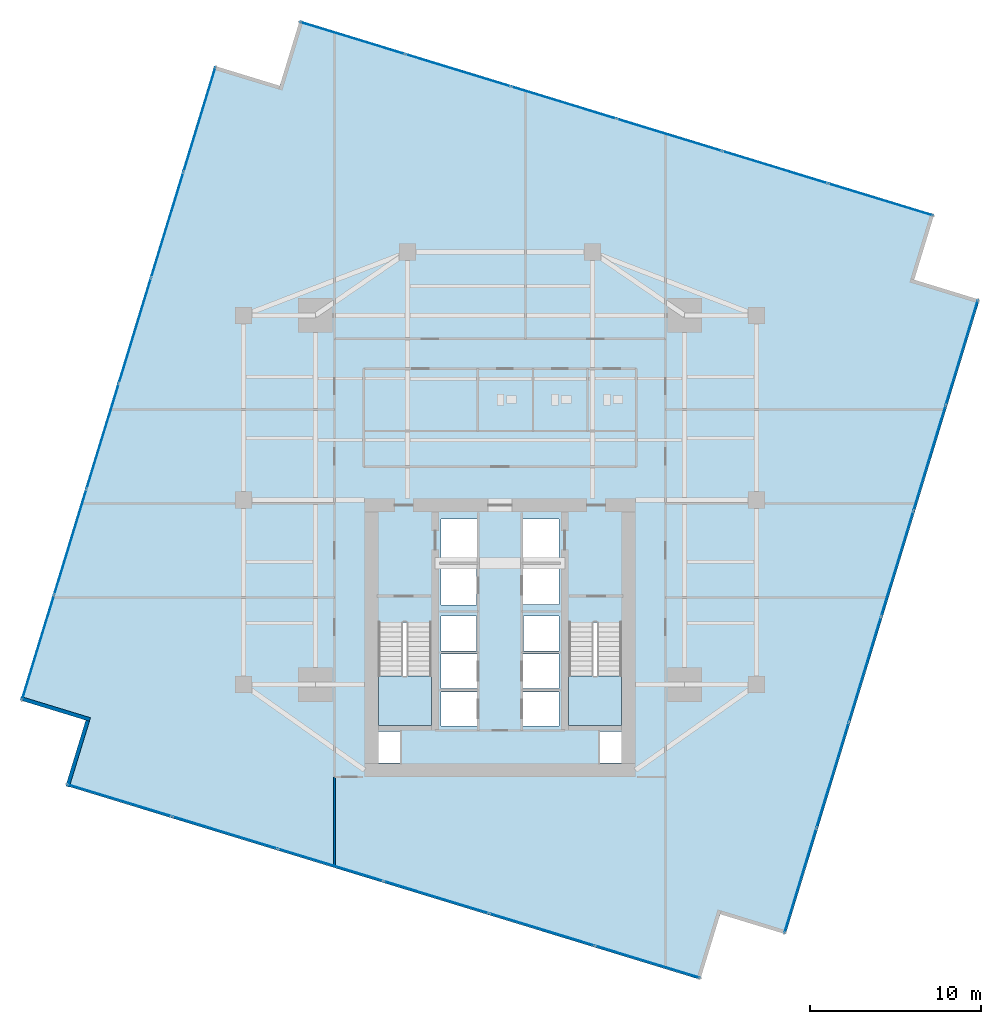
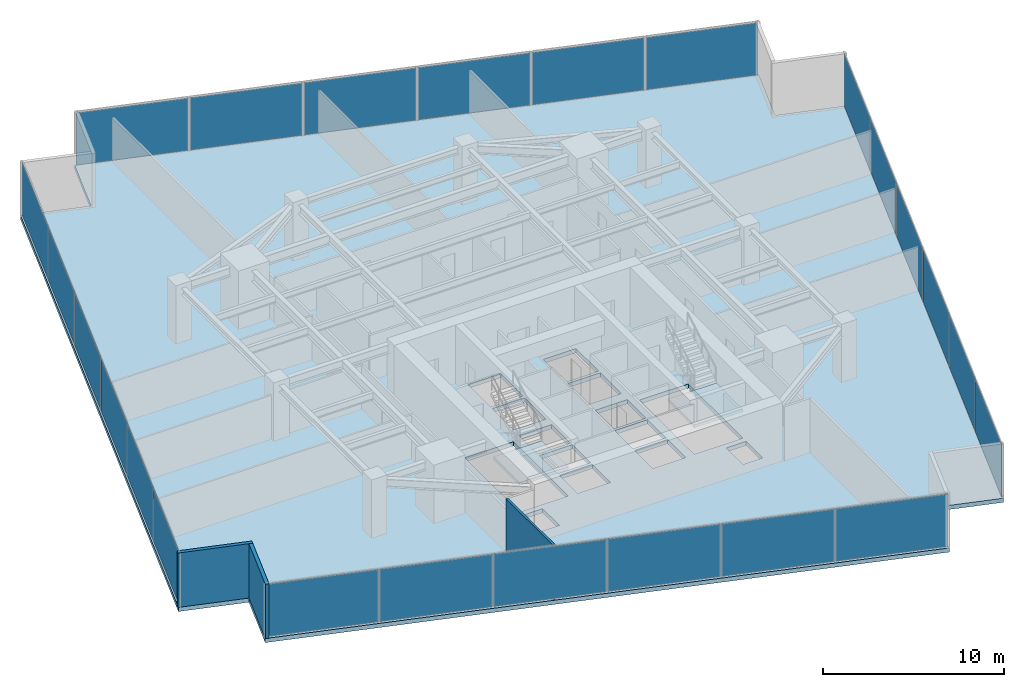
# One storey, part 21 of 26: 24 plates, 3 slabs, 3 walls, 6 elements without a shape of their own.
"""IFC4 building model written with IfcOpenShell, lengths in metres."""

from ifc_helpers import new_model, si_unit, direction, frame, frame_2d, origin, origin_2d, place, context, subcontext, project, spatial, polyline, rectangle, outline, extrude, source, transform, mapped, material, layer, layer_set, type_object, type_shapes, element, aggregate, save


model = new_model("IFC4")

# Units and contexts
model_context = context("Model", 3, precision=1e-05, world=origin(), true_north=direction((0.0, 1.0)))
body_context = subcontext(model_context, "Body", "Model", "MODEL_VIEW")
ifc_project = project(units=[si_unit("LENGTHUNIT", "METRE"), si_unit("AREAUNIT", "SQUARE_METRE"), si_unit("VOLUMEUNIT", "CUBIC_METRE"), si_unit("PLANEANGLEUNIT", "RADIAN"), si_unit("MASSUNIT", "GRAM", prefix="KILO")], contexts=[model_context])

# Site, building, storey
site_placement = place(None, origin())
site = spatial("IfcSite", under=ifc_project, at=site_placement, CompositionType="ELEMENT")
building_placement = place(site_placement, origin())
building = spatial("IfcBuilding", under=site, at=building_placement, Name="Krantzveldt Concourse Tower", CompositionType="ELEMENT")
storey_placement = place(building_placement, frame((0.0, 0.0, 113.75)))
storey = spatial("IfcBuildingStorey", under=building, at=storey_placement, Name="L27", CompositionType="ELEMENT", Elevation=113.75)

# Stair, slab
ifc_material_1 = material(Name="Precast concrete C40/50", Category="concrete")
stair_type = type_object("IfcStairType", Name="STR-CORE-DOGLEG", PredefinedType="HALF_TURN_STAIR", material=ifc_material_1)
stair_1_placement = place(storey_placement, origin())
stair_1 = element("IfcStair", 1, at=stair_1_placement, inside=storey, type_object=stair_type, Name="L27 Protected Escape Stair ST-1", PredefinedType="HALF_TURN_STAIR")
ifc_layer_1 = layer(ifc_material_1, 0.199951171875, Name="Precast concrete C40/50", Category="concrete")
ifc_layer_set_1 = layer_set([ifc_layer_1], Name="Precast concrete C40/50 (SL-LANDING-200)")
slab_type_1 = type_object("IfcSlabType", Name="SL-LANDING-200", PredefinedType="LANDING", material=ifc_layer_set_1)
slab_1_placement = place(storey_placement, frame((0.0, 0.0, 1.77490234375)))
slab_1 = element("IfcSlab", 2, at=slab_1_placement, type_object=slab_type_1, Name="ST-1 landing 1", PredefinedType="LANDING", context=body_context, shape_type="SweptSolid", body=[
    extrude(outline(polyline([(28.8798828125, 16.4150390625), (28.8798828125, 13.52001953125), (31.97998046875, 13.52001953125), (31.97998046875, 16.4150390625), (28.8798828125, 16.4150390625)])), origin(), (0.0, 0.0, 1.0), 0.2001953125),
])
aggregate(stair_1, [slab_1])

stair_2_placement = place(storey_placement, origin())
stair_2 = element("IfcStair", 3, at=stair_2_placement, inside=storey, type_object=stair_type, Name="L27 Protected Escape Stair ST-2", PredefinedType="HALF_TURN_STAIR")
slab_2_placement = place(storey_placement, frame((0.0, 0.0, 1.77490234375)))
slab_2 = element("IfcSlab", 4, at=slab_2_placement, type_object=slab_type_1, Name="ST-2 landing 1", PredefinedType="LANDING", context=body_context, shape_type="SweptSolid", body=[
    extrude(outline(polyline([(40.02001953125, 16.4150390625), (40.02001953125, 13.52001953125), (43.1201171875, 13.52001953125), (43.1201171875, 16.4150390625), (40.02001953125, 16.4150390625)])), origin(), (0.0, 0.0, 1.0), 0.2001953125),
])
aggregate(stair_2, [slab_2])

# Slab
ifc_material_2 = material(Name="Concrete C40/50", Category="concrete")
ifc_layer_2 = layer(ifc_material_2, 0.280029296875, Name="Concrete C40/50", Category="concrete")
ifc_layer_set_2 = layer_set([ifc_layer_2], Name="Concrete C40/50 (SL-SL-TWR280)")
slab_type_2 = type_object("IfcSlabType", Name="SL-SL-TWR280", PredefinedType="FLOOR", material=ifc_layer_set_2)
slab_3_placement = place(storey_placement, frame((0.0, 0.0, -0.280029296875)))
element("IfcSlab", 5, at=slab_3_placement, inside=storey, type_object=slab_type_2, Name="SL-L27-MAIN", PredefinedType="FLOOR", context=body_context, shape_type="SweptSolid", body=[
    extrude(outline(polyline([(23.11962890625, 50.92431640625), (19.29443359375, 52.09375), (7.950439453125, 14.9892578125), (11.775634765625, 13.819580078125), (10.606201171875, 9.994384765625), (47.710693359375, -1.349609375), (48.88037109375, 2.4755859375), (52.70556640625, 1.30615234375), (64.049560546875, 38.410888671875), (60.224365234375, 39.580322265625), (61.393798828125, 43.405517578125), (24.289306640625, 54.74951171875), (23.11962890625, 50.92431640625)]), holes=[polyline([(28.8798828125, 19.547607421875), (28.8798828125, 13.52001953125), (31.97998046875, 13.52001953125), (31.97998046875, 19.547607421875), (28.8798828125, 19.547607421875)]), polyline([(40.02001953125, 19.547607421875), (40.02001953125, 13.52001953125), (43.1201171875, 13.52001953125), (43.1201171875, 19.547607421875), (40.02001953125, 19.547607421875)]), polyline([(32.550048828125, 23.10009765625), (34.64990234375, 23.10009765625), (34.64990234375, 25.60009765625), (32.550048828125, 25.60009765625), (32.550048828125, 23.10009765625)]), polyline([(37.35009765625, 23.10009765625), (39.449951171875, 23.10009765625), (39.449951171875, 25.60009765625), (37.35009765625, 25.60009765625), (37.35009765625, 23.10009765625)]), polyline([(37.35009765625, 20.60009765625), (39.449951171875, 20.60009765625), (39.449951171875, 22.89990234375), (37.35009765625, 22.89990234375), (37.35009765625, 20.60009765625)]), polyline([(32.550048828125, 13.47998046875), (34.64990234375, 13.47998046875), (34.64990234375, 15.47998046875), (32.550048828125, 15.47998046875), (32.550048828125, 13.47998046875)]), polyline([(32.550048828125, 15.679931640625), (34.64990234375, 15.679931640625), (34.64990234375, 17.679931640625), (32.550048828125, 17.679931640625), (32.550048828125, 15.679931640625)]), polyline([(37.35009765625, 13.47998046875), (39.449951171875, 13.47998046875), (39.449951171875, 15.47998046875), (37.35009765625, 15.47998046875), (37.35009765625, 13.47998046875)]), polyline([(37.35009765625, 15.679931640625), (39.449951171875, 15.679931640625), (39.449951171875, 17.679931640625), (37.35009765625, 17.679931640625), (37.35009765625, 15.679931640625)]), polyline([(32.550048828125, 20.550048828125), (34.6201171875, 20.550048828125), (34.6201171875, 22.89990234375), (32.550048828125, 22.89990234375), (32.550048828125, 20.550048828125)]), polyline([(32.550048828125, 17.8798828125), (34.6201171875, 17.8798828125), (34.6201171875, 19.919921875), (32.550048828125, 19.919921875), (32.550048828125, 17.8798828125)]), polyline([(37.3798828125, 17.8798828125), (39.449951171875, 17.8798828125), (39.449951171875, 19.919921875), (37.3798828125, 19.919921875), (37.3798828125, 17.8798828125)]), polyline([(28.8798828125, 11.320068359375), (30.139892578125, 11.320068359375), (30.139892578125, 13.159912109375), (28.8798828125, 13.159912109375), (28.8798828125, 11.320068359375)]), polyline([(41.860107421875, 11.320068359375), (43.1201171875, 11.320068359375), (43.1201171875, 13.159912109375), (41.860107421875, 13.159912109375), (41.860107421875, 11.320068359375)])]), origin(), (0.0, 0.0, 1.0), 0.280029296875),
])

# Curtain wall, plates
ifc_material_3 = material(Name="Anodised aluminium 6063-T6", Category="aluminium")
curtain_wall_type = type_object("IfcCurtainWallType", Name="CW2", PredefinedType="USERDEFINED", material=ifc_material_3)
curtain_wall_1_placement = place(storey_placement, origin())
curtain_wall_1 = element("IfcCurtainWall", 6, at=curtain_wall_1_placement, inside=storey, type_object=curtain_wall_type, Name="CW-L27-F01", ObjectType="UNITISED CURTAIN WALL", PredefinedType="USERDEFINED")
ifc_material_4 = material(Name="Bronze-tinted laminated low-E IGU glass", Category="glass")
ifc_layer_3 = layer(ifc_material_4, 0.031982421875, Name="Bronze-tinted laminated low-E IGU glass", Category="glass")
ifc_layer_set_3 = layer_set([ifc_layer_3], Name="Bronze-tinted laminated low-E IGU glass (CW-GLZ-32)")
plate_type = type_object("IfcPlateType", Name="CW-GLZ-32", PredefinedType="CURTAIN_PANEL", material=ifc_layer_set_3)
shared_shape_1 = source(origin(), body_context, "Body", "SweptSolid", [
    extrude(rectangle(XDim=6.361572265625, YDim=0.031982421875, at=origin_2d()), origin(), (0.0, 0.0, 1.0), 3.530029296875),
])
plate_1_placement = place(storey_placement, frame((18.43017578125, 48.958740234375, 0.06982421875), z_axis=(0.0, 0.0, 1.0), x_axis=(-0.292371686864, -0.956304761423, 0.0)))
plate_1 = element("IfcPlate", 7, at=plate_1_placement, type_object=plate_type, Name="CW-Z12 panel 1.1", PredefinedType="CURTAIN_PANEL", context=body_context, shape_type="MappedRepresentation", body=[
    mapped(shared_shape_1, transform((0.0, 0.0, 0.0), x_axis=(1.0, 0.0, 0.0), y_axis=(0.0, 1.0, 0.0), z_axis=(0.0, 0.0, 1.0), scale=1.0)),
])
plate_2_placement = place(storey_placement, frame((8.987060546875, 18.07177734375, 0.06982421875), z_axis=(0.0, 0.0, 1.0), x_axis=(-0.292371686864, -0.956304761423, 0.0)))
plate_2 = element("IfcPlate", 8, at=plate_2_placement, type_object=plate_type, Name="CW-Z12 panel 6.1", PredefinedType="CURTAIN_PANEL", context=body_context, shape_type="MappedRepresentation", body=[
    mapped(shared_shape_1, transform((0.0, 0.0, 0.0), x_axis=(1.0, 0.0, 0.0), y_axis=(0.0, 1.0, 0.0), z_axis=(0.0, 0.0, 1.0), scale=1.0)),
])

curtain_wall_2_placement = place(storey_placement, origin())
curtain_wall_2 = element("IfcCurtainWall", 9, at=curtain_wall_2_placement, inside=storey, type_object=curtain_wall_type, Name="CW-L27-F04", ObjectType="UNITISED CURTAIN WALL", PredefinedType="USERDEFINED")
plate_3_placement = place(storey_placement, frame((13.7412109375, 9.130126953125, 0.06982421875), z_axis=(0.0, 0.0, 1.0), x_axis=(0.956304761423, -0.292371686864, 0.0)))
plate_3 = element("IfcPlate", 10, at=plate_3_placement, type_object=plate_type, Name="CW-Z12 panel 1.1", PredefinedType="CURTAIN_PANEL", context=body_context, shape_type="MappedRepresentation", body=[
    mapped(shared_shape_1, transform((0.0, 0.0, 0.0), x_axis=(1.0, 0.0, 0.0), y_axis=(0.0, 1.0, 0.0), z_axis=(0.0, 0.0, 1.0), scale=1.0)),
])
plate_4_placement = place(storey_placement, frame((44.62841796875, -0.31298828125, 0.06982421875), z_axis=(0.0, 0.0, 1.0), x_axis=(0.956304761423, -0.292371686864, 0.0)))
plate_4 = element("IfcPlate", 11, at=plate_4_placement, type_object=plate_type, Name="CW-Z12 panel 6.1", PredefinedType="CURTAIN_PANEL", context=body_context, shape_type="MappedRepresentation", body=[
    mapped(shared_shape_1, transform((0.0, 0.0, 0.0), x_axis=(1.0, 0.0, 0.0), y_axis=(0.0, 1.0, 0.0), z_axis=(0.0, 0.0, 1.0), scale=1.0)),
])

curtain_wall_3_placement = place(storey_placement, origin())
curtain_wall_3 = element("IfcCurtainWall", 12, at=curtain_wall_3_placement, inside=storey, type_object=curtain_wall_type, Name="CW-L27-F07", ObjectType="UNITISED CURTAIN WALL", PredefinedType="USERDEFINED")
plate_5_placement = place(storey_placement, frame((53.56982421875, 4.44140625, 0.06982421875), z_axis=(0.0, 0.0, 1.0), x_axis=(0.292371686864, 0.956304761423, 0.0)))
plate_5 = element("IfcPlate", 13, at=plate_5_placement, type_object=plate_type, Name="CW-Z12 panel 1.1", PredefinedType="CURTAIN_PANEL", context=body_context, shape_type="MappedRepresentation", body=[
    mapped(shared_shape_1, transform((0.0, 0.0, 0.0), x_axis=(1.0, 0.0, 0.0), y_axis=(0.0, 1.0, 0.0), z_axis=(0.0, 0.0, 1.0), scale=1.0)),
])
plate_6_placement = place(storey_placement, frame((63.012939453125, 35.328369140625, 0.06982421875), z_axis=(0.0, 0.0, 1.0), x_axis=(0.292371686864, 0.956304761423, 0.0)))
plate_6 = element("IfcPlate", 14, at=plate_6_placement, type_object=plate_type, Name="CW-Z12 panel 6.1", PredefinedType="CURTAIN_PANEL", context=body_context, shape_type="MappedRepresentation", body=[
    mapped(shared_shape_1, transform((0.0, 0.0, 0.0), x_axis=(1.0, 0.0, 0.0), y_axis=(0.0, 1.0, 0.0), z_axis=(0.0, 0.0, 1.0), scale=1.0)),
])

curtain_wall_4_placement = place(storey_placement, origin())
curtain_wall_4 = element("IfcCurtainWall", 15, at=curtain_wall_4_placement, inside=storey, type_object=curtain_wall_type, Name="CW-L27-F10", ObjectType="UNITISED CURTAIN WALL", PredefinedType="USERDEFINED")
plate_7_placement = place(storey_placement, frame((58.2587890625, 44.27001953125, 0.06982421875), z_axis=(0.0, 0.0, 1.0), x_axis=(-0.956304761423, 0.292371686864, 0.0)))
plate_7 = element("IfcPlate", 16, at=plate_7_placement, type_object=plate_type, Name="CW-Z12 panel 1.1", PredefinedType="CURTAIN_PANEL", context=body_context, shape_type="MappedRepresentation", body=[
    mapped(shared_shape_1, transform((0.0, 0.0, 0.0), x_axis=(1.0, 0.0, 0.0), y_axis=(0.0, 1.0, 0.0), z_axis=(0.0, 0.0, 1.0), scale=1.0)),
])
plate_8_placement = place(storey_placement, frame((27.37158203125, 53.713134765625, 0.06982421875), z_axis=(0.0, 0.0, 1.0), x_axis=(-0.956304761423, 0.292371686864, 0.0)))
plate_8 = element("IfcPlate", 17, at=plate_8_placement, type_object=plate_type, Name="CW-Z12 panel 6.1", PredefinedType="CURTAIN_PANEL", context=body_context, shape_type="MappedRepresentation", body=[
    mapped(shared_shape_1, transform((0.0, 0.0, 0.0), x_axis=(1.0, 0.0, 0.0), y_axis=(0.0, 1.0, 0.0), z_axis=(0.0, 0.0, 1.0), scale=1.0)),
])

# Plate
shared_shape_2 = source(origin(), body_context, "Body", "SweptSolid", [
    extrude(rectangle(XDim=6.396728515625, YDim=0.031982421875, at=origin_2d()), origin(), (0.0, 0.0, 1.0), 3.530029296875),
])
type_shapes(plate_type, [shared_shape_1, shared_shape_2])
plate_9_placement = place(storey_placement, frame((16.54443359375, 42.791259765625, 0.06982421875), z_axis=(0.0, 0.0, 1.0), x_axis=(-0.292371686864, -0.956304761423, 0.0)))
plate_9 = element("IfcPlate", 18, at=plate_9_placement, type_object=plate_type, Name="CW-Z12 panel 2.1", PredefinedType="CURTAIN_PANEL", context=body_context, shape_type="MappedRepresentation", body=[
    mapped(shared_shape_2, transform((0.0, 0.0, 0.0), x_axis=(1.0, 0.0, 0.0), y_axis=(0.0, 1.0, 0.0), z_axis=(0.0, 0.0, 1.0), scale=1.0)),
])

plate_10_placement = place(storey_placement, frame((14.65380859375, 36.607177734375, 0.06982421875), z_axis=(0.0, 0.0, 1.0), x_axis=(-0.292371686864, -0.956304761423, 0.0)))
plate_10 = element("IfcPlate", 19, at=plate_10_placement, type_object=plate_type, Name="CW-Z12 panel 3.1", PredefinedType="CURTAIN_PANEL", context=body_context, shape_type="MappedRepresentation", body=[
    mapped(shared_shape_2, transform((0.0, 0.0, 0.0), x_axis=(1.0, 0.0, 0.0), y_axis=(0.0, 1.0, 0.0), z_axis=(0.0, 0.0, 1.0), scale=1.0)),
])

plate_11_placement = place(storey_placement, frame((12.76318359375, 30.423095703125, 0.06982421875), z_axis=(0.0, 0.0, 1.0), x_axis=(-0.292371686864, -0.956304761423, 0.0)))
plate_11 = element("IfcPlate", 20, at=plate_11_placement, type_object=plate_type, Name="CW-Z12 panel 4.1", PredefinedType="CURTAIN_PANEL", context=body_context, shape_type="MappedRepresentation", body=[
    mapped(shared_shape_2, transform((0.0, 0.0, 0.0), x_axis=(1.0, 0.0, 0.0), y_axis=(0.0, 1.0, 0.0), z_axis=(0.0, 0.0, 1.0), scale=1.0)),
])

plate_12_placement = place(storey_placement, frame((10.87255859375, 24.239013671875, 0.06982421875), z_axis=(0.0, 0.0, 1.0), x_axis=(-0.292371686864, -0.956304761423, 0.0)))
plate_12 = element("IfcPlate", 21, at=plate_12_placement, type_object=plate_type, Name="CW-Z12 panel 5.1", PredefinedType="CURTAIN_PANEL", context=body_context, shape_type="MappedRepresentation", body=[
    mapped(shared_shape_2, transform((0.0, 0.0, 0.0), x_axis=(1.0, 0.0, 0.0), y_axis=(0.0, 1.0, 0.0), z_axis=(0.0, 0.0, 1.0), scale=1.0)),
])

aggregate(curtain_wall_1, [plate_1, plate_9, plate_10, plate_11, plate_12, plate_2])

plate_13_placement = place(storey_placement, frame((19.90869140625, 7.24462890625, 0.06982421875), z_axis=(0.0, 0.0, 1.0), x_axis=(0.956304761423, -0.292371686864, 0.0)))
plate_13 = element("IfcPlate", 22, at=plate_13_placement, type_object=plate_type, Name="CW-Z12 panel 2.1", PredefinedType="CURTAIN_PANEL", context=body_context, shape_type="MappedRepresentation", body=[
    mapped(shared_shape_2, transform((0.0, 0.0, 0.0), x_axis=(1.0, 0.0, 0.0), y_axis=(0.0, 1.0, 0.0), z_axis=(0.0, 0.0, 1.0), scale=1.0)),
])

plate_14_placement = place(storey_placement, frame((26.0927734375, 5.353759765625, 0.06982421875), z_axis=(0.0, 0.0, 1.0), x_axis=(0.956304761423, -0.292371686864, 0.0)))
plate_14 = element("IfcPlate", 23, at=plate_14_placement, type_object=plate_type, Name="CW-Z12 panel 3.1", PredefinedType="CURTAIN_PANEL", context=body_context, shape_type="MappedRepresentation", body=[
    mapped(shared_shape_2, transform((0.0, 0.0, 0.0), x_axis=(1.0, 0.0, 0.0), y_axis=(0.0, 1.0, 0.0), z_axis=(0.0, 0.0, 1.0), scale=1.0)),
])

plate_15_placement = place(storey_placement, frame((32.27685546875, 3.463134765625, 0.06982421875), z_axis=(0.0, 0.0, 1.0), x_axis=(0.956304761423, -0.292371686864, 0.0)))
plate_15 = element("IfcPlate", 24, at=plate_15_placement, type_object=plate_type, Name="CW-Z12 panel 4.1", PredefinedType="CURTAIN_PANEL", context=body_context, shape_type="MappedRepresentation", body=[
    mapped(shared_shape_2, transform((0.0, 0.0, 0.0), x_axis=(1.0, 0.0, 0.0), y_axis=(0.0, 1.0, 0.0), z_axis=(0.0, 0.0, 1.0), scale=1.0)),
])

plate_16_placement = place(storey_placement, frame((38.4609375, 1.572509765625, 0.06982421875), z_axis=(0.0, 0.0, 1.0), x_axis=(0.956304761423, -0.292371686864, 0.0)))
plate_16 = element("IfcPlate", 25, at=plate_16_placement, type_object=plate_type, Name="CW-Z12 panel 5.1", PredefinedType="CURTAIN_PANEL", context=body_context, shape_type="MappedRepresentation", body=[
    mapped(shared_shape_2, transform((0.0, 0.0, 0.0), x_axis=(1.0, 0.0, 0.0), y_axis=(0.0, 1.0, 0.0), z_axis=(0.0, 0.0, 1.0), scale=1.0)),
])

aggregate(curtain_wall_2, [plate_3, plate_13, plate_14, plate_15, plate_16, plate_4])

plate_17_placement = place(storey_placement, frame((55.45556640625, 10.608642578125, 0.06982421875), z_axis=(0.0, 0.0, 1.0), x_axis=(0.292371686864, 0.956304761423, 0.0)))
plate_17 = element("IfcPlate", 26, at=plate_17_placement, type_object=plate_type, Name="CW-Z12 panel 2.1", PredefinedType="CURTAIN_PANEL", context=body_context, shape_type="MappedRepresentation", body=[
    mapped(shared_shape_2, transform((0.0, 0.0, 0.0), x_axis=(1.0, 0.0, 0.0), y_axis=(0.0, 1.0, 0.0), z_axis=(0.0, 0.0, 1.0), scale=1.0)),
])

plate_18_placement = place(storey_placement, frame((57.34619140625, 16.792724609375, 0.06982421875), z_axis=(0.0, 0.0, 1.0), x_axis=(0.292371686864, 0.956304761423, 0.0)))
plate_18 = element("IfcPlate", 27, at=plate_18_placement, type_object=plate_type, Name="CW-Z12 panel 3.1", PredefinedType="CURTAIN_PANEL", context=body_context, shape_type="MappedRepresentation", body=[
    mapped(shared_shape_2, transform((0.0, 0.0, 0.0), x_axis=(1.0, 0.0, 0.0), y_axis=(0.0, 1.0, 0.0), z_axis=(0.0, 0.0, 1.0), scale=1.0)),
])

plate_19_placement = place(storey_placement, frame((59.23681640625, 22.976806640625, 0.06982421875), z_axis=(0.0, 0.0, 1.0), x_axis=(0.292371686864, 0.956304761423, 0.0)))
plate_19 = element("IfcPlate", 28, at=plate_19_placement, type_object=plate_type, Name="CW-Z12 panel 4.1", PredefinedType="CURTAIN_PANEL", context=body_context, shape_type="MappedRepresentation", body=[
    mapped(shared_shape_2, transform((0.0, 0.0, 0.0), x_axis=(1.0, 0.0, 0.0), y_axis=(0.0, 1.0, 0.0), z_axis=(0.0, 0.0, 1.0), scale=1.0)),
])

plate_20_placement = place(storey_placement, frame((61.12744140625, 29.160888671875, 0.06982421875), z_axis=(0.0, 0.0, 1.0), x_axis=(0.292371686864, 0.956304761423, 0.0)))
plate_20 = element("IfcPlate", 29, at=plate_20_placement, type_object=plate_type, Name="CW-Z12 panel 5.1", PredefinedType="CURTAIN_PANEL", context=body_context, shape_type="MappedRepresentation", body=[
    mapped(shared_shape_2, transform((0.0, 0.0, 0.0), x_axis=(1.0, 0.0, 0.0), y_axis=(0.0, 1.0, 0.0), z_axis=(0.0, 0.0, 1.0), scale=1.0)),
])

aggregate(curtain_wall_3, [plate_5, plate_17, plate_18, plate_19, plate_20, plate_6])

plate_21_placement = place(storey_placement, frame((52.09130859375, 46.155517578125, 0.06982421875), z_axis=(0.0, 0.0, 1.0), x_axis=(-0.956304761423, 0.292371686864, 0.0)))
plate_21 = element("IfcPlate", 30, at=plate_21_placement, type_object=plate_type, Name="CW-Z12 panel 2.1", PredefinedType="CURTAIN_PANEL", context=body_context, shape_type="MappedRepresentation", body=[
    mapped(shared_shape_2, transform((0.0, 0.0, 0.0), x_axis=(1.0, 0.0, 0.0), y_axis=(0.0, 1.0, 0.0), z_axis=(0.0, 0.0, 1.0), scale=1.0)),
])

plate_22_placement = place(storey_placement, frame((45.9072265625, 48.046142578125, 0.06982421875), z_axis=(0.0, 0.0, 1.0), x_axis=(-0.956304761423, 0.292371686864, 0.0)))
plate_22 = element("IfcPlate", 31, at=plate_22_placement, type_object=plate_type, Name="CW-Z12 panel 3.1", PredefinedType="CURTAIN_PANEL", context=body_context, shape_type="MappedRepresentation", body=[
    mapped(shared_shape_2, transform((0.0, 0.0, 0.0), x_axis=(1.0, 0.0, 0.0), y_axis=(0.0, 1.0, 0.0), z_axis=(0.0, 0.0, 1.0), scale=1.0)),
])

plate_23_placement = place(storey_placement, frame((39.72314453125, 49.936767578125, 0.06982421875), z_axis=(0.0, 0.0, 1.0), x_axis=(-0.956304761423, 0.292371686864, 0.0)))
plate_23 = element("IfcPlate", 32, at=plate_23_placement, type_object=plate_type, Name="CW-Z12 panel 4.1", PredefinedType="CURTAIN_PANEL", context=body_context, shape_type="MappedRepresentation", body=[
    mapped(shared_shape_2, transform((0.0, 0.0, 0.0), x_axis=(1.0, 0.0, 0.0), y_axis=(0.0, 1.0, 0.0), z_axis=(0.0, 0.0, 1.0), scale=1.0)),
])

plate_24_placement = place(storey_placement, frame((33.5390625, 51.827392578125, 0.06982421875), z_axis=(0.0, 0.0, 1.0), x_axis=(-0.956304761423, 0.292371686864, 0.0)))
plate_24 = element("IfcPlate", 33, at=plate_24_placement, type_object=plate_type, Name="CW-Z12 panel 5.1", PredefinedType="CURTAIN_PANEL", context=body_context, shape_type="MappedRepresentation", body=[
    mapped(shared_shape_2, transform((0.0, 0.0, 0.0), x_axis=(1.0, 0.0, 0.0), y_axis=(0.0, 1.0, 0.0), z_axis=(0.0, 0.0, 1.0), scale=1.0)),
])

aggregate(curtain_wall_4, [plate_7, plate_21, plate_22, plate_23, plate_24, plate_8])

# Walls
ifc_layer_4 = layer(ifc_material_3, 0.219970703125, Name="Anodised aluminium 6063-T6", Category="aluminium")
ifc_layer_set_4 = layer_set([ifc_layer_4], Name="Anodised aluminium 6063-T6 (WL-EXT-NOTCH220)")
wall_type_1 = type_object("IfcWallType", Name="WL-EXT-NOTCH220", PredefinedType="ELEMENTEDWALL", material=ifc_layer_set_4)
wall_1_placement = place(storey_placement, frame((7.958740234375, 15.101806640625, 0.0), z_axis=(0.0, 0.0, 1.0), x_axis=(0.95629976735, -0.292388021242, 0.0)))
element("IfcWall", 34, at=wall_1_placement, inside=storey, type_object=wall_type_1, Name="EW-L27-NCH02", PredefinedType="ELEMENTEDWALL", context=body_context, shape_type="SweptSolid", body=[
    extrude(rectangle(XDim=4.2451171875, YDim=0.219970703125, at=frame_2d((2.12255859375, 0.0))), origin(), (0.0, 0.0, 1.0), 3.669921875),
])
wall_2_placement = place(storey_placement, frame((11.880859375, 13.78759765625, 0.0), z_axis=(0.0, 0.0, 1.0), x_axis=(-0.292363388235, -0.956307298529, 0.0)))
element("IfcWall", 35, at=wall_2_placement, inside=storey, type_object=wall_type_1, Name="EW-L27-NCH03", PredefinedType="ELEMENTEDWALL", context=body_context, shape_type="SweptSolid", body=[
    extrude(rectangle(XDim=4.02490234375, YDim=0.219970703125, at=frame_2d((2.012451171875, 0.0))), origin(), (0.0, 0.0, 1.0), 3.669921875),
])
ifc_material_5 = material(Name="Fire-rated gypsum plasterboard on steel stud", Category="steel")
ifc_layer_5 = layer(ifc_material_5, 0.139892578125, Name="Fire-rated gypsum plasterboard on steel stud", Category="steel")
ifc_layer_set_5 = layer_set([ifc_layer_5], Name="Fire-rated gypsum plasterboard on steel stud (WL-PART-140)")
wall_type_2 = type_object("IfcWallType", Name="WL-PART-140", PredefinedType="PARTITIONING", material=ifc_layer_set_5)
wall_3_placement = place(storey_placement, frame((26.320068359375, 5.284423828125, 0.0), z_axis=(0.0, 0.0, 1.0), x_axis=(0.0, 1.0, 0.0)))
element("IfcWall", 36, at=wall_3_placement, inside=storey, type_object=wall_type_2, Name="WP-L27-SWL", PredefinedType="PARTITIONING", context=body_context, shape_type="SweptSolid", body=[
    extrude(rectangle(XDim=5.215576171875, YDim=0.139892578125, at=frame_2d((2.60791015625, 0.0))), origin(), (0.0, 0.0, 1.0), 3.669921875),
])

save(model, "model.ifc")
